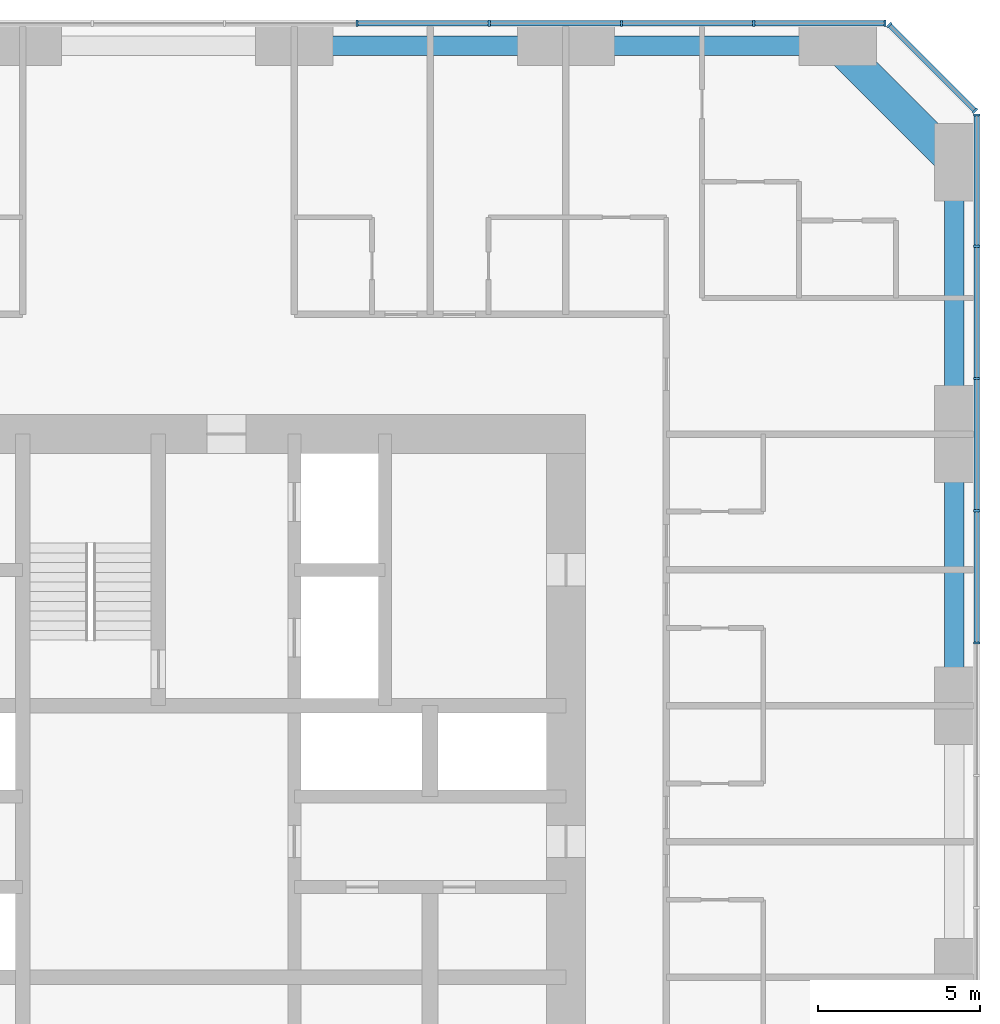
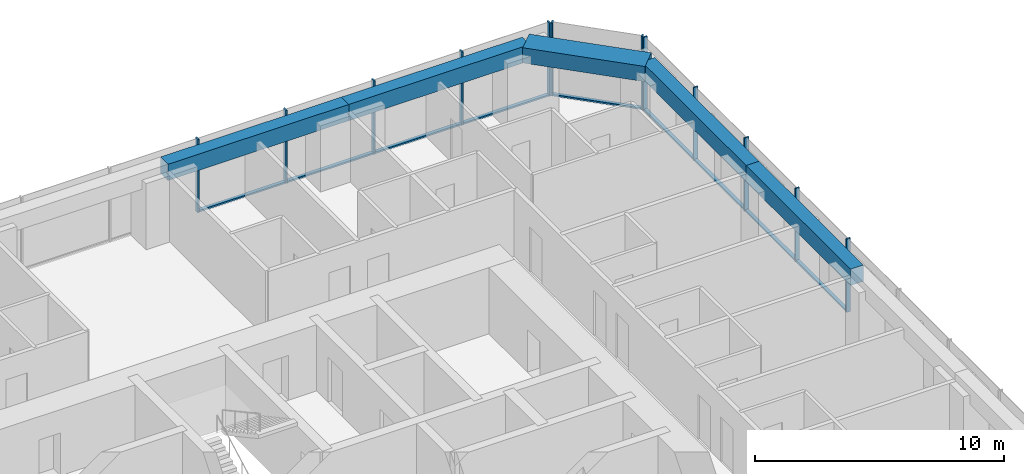
# One storey, part 4 of 14: 21 members, 5 beams, 3 elements without a shape of their own.
"""IFC4 building model written with IfcOpenShell, lengths in metres."""

from ifc_helpers import new_model, si_unit, direction, frame, origin, origin_2d, place, context, subcontext, project, spatial, rectangle, extrude, material, material_profile, profile_set, type_object, element, aggregate, save


model = new_model("IFC4")

# Units and contexts
model_context = context("Model", 3, precision=1e-05, world=origin(), true_north=direction((0.0, 1.0)))
body_context = subcontext(model_context, "Body", "Model", "MODEL_VIEW")
ifc_project = project(units=[si_unit("LENGTHUNIT", "METRE"), si_unit("AREAUNIT", "SQUARE_METRE"), si_unit("VOLUMEUNIT", "CUBIC_METRE"), si_unit("PLANEANGLEUNIT", "RADIAN"), si_unit("MASSUNIT", "GRAM", prefix="KILO")], contexts=[model_context])

# Site, building, storey
site_placement = place(None, origin())
site = spatial("IfcSite", under=ifc_project, at=site_placement, CompositionType="ELEMENT")
building_placement = place(site_placement, origin())
building = spatial("IfcBuilding", under=site, at=building_placement, Name="Dunama Terrace Hotel", CompositionType="ELEMENT")
storey_placement = place(building_placement, frame((0.0, 0.0, 159.0)))
storey = spatial("IfcBuildingStorey", under=building, at=storey_placement, Name="L40", CompositionType="ELEMENT", Elevation=159.0)

# Curtain wall, members
ifc_material_1 = material(Name="Aluminium curtain wall system", Category="aluminium")
curtain_wall_type = type_object("IfcCurtainWallType", Name="Unitised fritted glass wall CW-C", PredefinedType="NOTDEFINED", material=ifc_material_1)
curtain_wall_1_placement = place(storey_placement, origin())
curtain_wall_1 = element("IfcCurtainWall", 1, at=curtain_wall_1_placement, inside=storey, type_object=curtain_wall_type, Name="Unitised fritted glass wall CW-C L40", PredefinedType="NOTDEFINED")
ifc_material_2 = material(Name="Aluminium mullion", Category="aluminium")
ifc_material_profile_1 = material_profile(ifc_material_2, rectangle(XDim=0.070068359375, YDim=0.199951171875, at=origin_2d()), Name="CWC MULLION 70X200")
ifc_profile_set_1 = profile_set([ifc_material_profile_1], Name="Aluminium mullion")
member_type_1 = type_object("IfcMemberType", Name="CWC mullion 70x200", PredefinedType="MULLION", material=ifc_profile_set_1)
member_1_placement = place(storey_placement, frame((54.699951171875, 35.535888671875, 0.0), z_axis=(0.0, 0.0, 1.0), x_axis=(0.0, 1.0, 0.0)))
member_1 = element("IfcMember", 2, at=member_1_placement, type_object=member_type_1, Name="CWC mullion", PredefinedType="MULLION", context=body_context, shape_type="SweptSolid", body=[
    extrude(rectangle(XDim=0.070068359375, YDim=0.199951171875, at=origin_2d()), origin(), (0.0, 0.0, 1.0), 3.60009765625),
])
member_2_placement = place(storey_placement, frame((54.699951171875, 39.626953125, 0.0), z_axis=(0.0, 0.0, 1.0), x_axis=(0.0, 1.0, 0.0)))
member_2 = element("IfcMember", 3, at=member_2_placement, type_object=member_type_1, Name="CWC mullion", PredefinedType="MULLION", context=body_context, shape_type="SweptSolid", body=[
    extrude(rectangle(XDim=0.070068359375, YDim=0.199951171875, at=origin_2d()), origin(), (0.0, 0.0, 1.0), 3.60009765625),
])
member_3_placement = place(storey_placement, frame((54.699951171875, 43.718017578125, 0.0), z_axis=(0.0, 0.0, 1.0), x_axis=(0.0, 1.0, 0.0)))
member_3 = element("IfcMember", 4, at=member_3_placement, type_object=member_type_1, Name="CWC mullion", PredefinedType="MULLION", context=body_context, shape_type="SweptSolid", body=[
    extrude(rectangle(XDim=0.070068359375, YDim=0.199951171875, at=origin_2d()), origin(), (0.0, 0.0, 1.0), 3.60009765625),
])
member_4_placement = place(storey_placement, frame((54.699951171875, 47.80908203125, 0.0), z_axis=(0.0, 0.0, 1.0), x_axis=(0.0, 1.0, 0.0)))
member_4 = element("IfcMember", 5, at=member_4_placement, type_object=member_type_1, Name="CWC mullion", PredefinedType="MULLION", context=body_context, shape_type="SweptSolid", body=[
    extrude(rectangle(XDim=0.070068359375, YDim=0.199951171875, at=origin_2d()), origin(), (0.0, 0.0, 1.0), 3.60009765625),
])
member_5_placement = place(storey_placement, frame((54.699951171875, 51.864990234375, 0.0), z_axis=(0.0, 0.0, 1.0), x_axis=(0.0, 1.0, 0.0)))
member_5 = element("IfcMember", 6, at=member_5_placement, type_object=member_type_1, Name="CWC mullion", PredefinedType="MULLION", context=body_context, shape_type="SweptSolid", body=[
    extrude(rectangle(XDim=0.070068359375, YDim=0.199951171875, at=origin_2d()), origin(), (0.0, 0.0, 1.0), 3.60009765625),
])

curtain_wall_2_placement = place(storey_placement, origin())
curtain_wall_2 = element("IfcCurtainWall", 7, at=curtain_wall_2_placement, inside=storey, type_object=curtain_wall_type, Name="Unitised fritted glass wall CW-C L40", PredefinedType="NOTDEFINED")
member_6_placement = place(storey_placement, frame((54.64599609375, 51.9951171875, 0.0), z_axis=(0.0, 0.0, 1.0), x_axis=(-0.707106781187, 0.707106781187, 0.0)))
member_6 = element("IfcMember", 8, at=member_6_placement, type_object=member_type_1, Name="CWC mullion", PredefinedType="MULLION", context=body_context, shape_type="SweptSolid", body=[
    extrude(rectangle(XDim=0.070068359375, YDim=0.199951171875, at=origin_2d()), origin(), (0.0, 0.0, 1.0), 3.60009765625),
])
member_7_placement = place(storey_placement, frame((51.9951171875, 54.64599609375, 0.0), z_axis=(0.0, 0.0, 1.0), x_axis=(-0.707106781187, 0.707106781187, 0.0)))
member_7 = element("IfcMember", 9, at=member_7_placement, type_object=member_type_1, Name="CWC mullion", PredefinedType="MULLION", context=body_context, shape_type="SweptSolid", body=[
    extrude(rectangle(XDim=0.070068359375, YDim=0.199951171875, at=origin_2d()), origin(), (0.0, 0.0, 1.0), 3.60009765625),
])

curtain_wall_3_placement = place(storey_placement, origin())
curtain_wall_3 = element("IfcCurtainWall", 10, at=curtain_wall_3_placement, inside=storey, type_object=curtain_wall_type, Name="Unitised fritted glass wall CW-C L40", PredefinedType="NOTDEFINED")
member_8_placement = place(storey_placement, frame((51.864990234375, 54.699951171875, 0.0), z_axis=(0.0, 0.0, 1.0), x_axis=(-1.0, 0.0, 0.0)))
member_8 = element("IfcMember", 11, at=member_8_placement, type_object=member_type_1, Name="CWC mullion", PredefinedType="MULLION", context=body_context, shape_type="SweptSolid", body=[
    extrude(rectangle(XDim=0.070068359375, YDim=0.199951171875, at=origin_2d()), origin(), (0.0, 0.0, 1.0), 3.60009765625),
])
member_9_placement = place(storey_placement, frame((47.80908203125, 54.699951171875, 0.0), z_axis=(0.0, 0.0, 1.0), x_axis=(-1.0, 0.0, 0.0)))
member_9 = element("IfcMember", 12, at=member_9_placement, type_object=member_type_1, Name="CWC mullion", PredefinedType="MULLION", context=body_context, shape_type="SweptSolid", body=[
    extrude(rectangle(XDim=0.070068359375, YDim=0.199951171875, at=origin_2d()), origin(), (0.0, 0.0, 1.0), 3.60009765625),
])
member_10_placement = place(storey_placement, frame((43.718017578125, 54.699951171875, 0.0), z_axis=(0.0, 0.0, 1.0), x_axis=(-1.0, 0.0, 0.0)))
member_10 = element("IfcMember", 13, at=member_10_placement, type_object=member_type_1, Name="CWC mullion", PredefinedType="MULLION", context=body_context, shape_type="SweptSolid", body=[
    extrude(rectangle(XDim=0.070068359375, YDim=0.199951171875, at=origin_2d()), origin(), (0.0, 0.0, 1.0), 3.60009765625),
])
member_11_placement = place(storey_placement, frame((39.626953125, 54.699951171875, 0.0), z_axis=(0.0, 0.0, 1.0), x_axis=(-1.0, 0.0, 0.0)))
member_11 = element("IfcMember", 14, at=member_11_placement, type_object=member_type_1, Name="CWC mullion", PredefinedType="MULLION", context=body_context, shape_type="SweptSolid", body=[
    extrude(rectangle(XDim=0.070068359375, YDim=0.199951171875, at=origin_2d()), origin(), (0.0, 0.0, 1.0), 3.60009765625),
])
member_12_placement = place(storey_placement, frame((35.535888671875, 54.699951171875, 0.0), z_axis=(0.0, 0.0, 1.0), x_axis=(-1.0, 0.0, 0.0)))
member_12 = element("IfcMember", 15, at=member_12_placement, type_object=member_type_1, Name="CWC mullion", PredefinedType="MULLION", context=body_context, shape_type="SweptSolid", body=[
    extrude(rectangle(XDim=0.070068359375, YDim=0.199951171875, at=origin_2d()), origin(), (0.0, 0.0, 1.0), 3.60009765625),
])

# Member
ifc_material_3 = material(Name="Aluminium transom", Category="aluminium")
ifc_material_profile_2 = material_profile(ifc_material_3, rectangle(XDim=0.159912109375, YDim=0.080078125, at=origin_2d()), Name="CWC TRANSOM 160X80")
ifc_profile_set_2 = profile_set([ifc_material_profile_2], Name="Aluminium transom")
member_type_2 = type_object("IfcMemberType", Name="CWC transom 160x80", PredefinedType="USERDEFINED", material=ifc_profile_set_2)
member_13_placement = place(storey_placement, frame((54.699951171875, 35.571044921875, 0.0400390625), z_axis=(0.0, 1.0, 0.0), x_axis=(-1.0, 0.0, 0.0)))
member_13 = element("IfcMember", 16, at=member_13_placement, type_object=member_type_2, Name="CWC transom", ObjectType="TRANSOM", PredefinedType="USERDEFINED", context=body_context, shape_type="SweptSolid", body=[
    extrude(rectangle(XDim=0.159912109375, YDim=0.080078125, at=origin_2d()), origin(), (0.0, 0.0, 1.0), 4.02099609375),
])

member_14_placement = place(storey_placement, frame((54.699951171875, 39.662109375, 0.0400390625), z_axis=(0.0, 1.0, 0.0), x_axis=(-1.0, 0.0, 0.0)))
member_14 = element("IfcMember", 17, at=member_14_placement, type_object=member_type_2, Name="CWC transom", ObjectType="TRANSOM", PredefinedType="USERDEFINED", context=body_context, shape_type="SweptSolid", body=[
    extrude(rectangle(XDim=0.159912109375, YDim=0.080078125, at=origin_2d()), origin(), (0.0, 0.0, 1.0), 4.02099609375),
])

member_15_placement = place(storey_placement, frame((54.699951171875, 43.7529296875, 0.0400390625), z_axis=(0.0, 1.0, 0.0), x_axis=(-1.0, 0.0, 0.0)))
member_15 = element("IfcMember", 18, at=member_15_placement, type_object=member_type_2, Name="CWC transom", ObjectType="TRANSOM", PredefinedType="USERDEFINED", context=body_context, shape_type="SweptSolid", body=[
    extrude(rectangle(XDim=0.159912109375, YDim=0.080078125, at=origin_2d()), origin(), (0.0, 0.0, 1.0), 4.02099609375),
])

member_16_placement = place(storey_placement, frame((54.699951171875, 47.843994140625, 0.0400390625), z_axis=(0.0, 1.0, 0.0), x_axis=(-1.0, 0.0, 0.0)))
member_16 = element("IfcMember", 19, at=member_16_placement, type_object=member_type_2, Name="CWC transom", ObjectType="TRANSOM", PredefinedType="USERDEFINED", context=body_context, shape_type="SweptSolid", body=[
    extrude(rectangle(XDim=0.159912109375, YDim=0.080078125, at=origin_2d()), origin(), (0.0, 0.0, 1.0), 3.986083984375),
])

aggregate(curtain_wall_1, [member_1, member_2, member_3, member_4, member_5, member_13, member_14, member_15, member_16])

member_17_placement = place(storey_placement, frame((54.62109375, 52.02001953125, 0.0400390625), z_axis=(-0.707106781187, 0.707106781187, 0.0), x_axis=(-0.707106781187, -0.707106781187, 0.0)))
member_17 = element("IfcMember", 20, at=member_17_placement, type_object=member_type_2, Name="CWC transom", ObjectType="TRANSOM", PredefinedType="USERDEFINED", context=body_context, shape_type="SweptSolid", body=[
    extrude(rectangle(XDim=0.159912109375, YDim=0.080078125, at=origin_2d()), origin(), (0.0, 0.0, 1.0), 3.678466796875),
])

aggregate(curtain_wall_2, [member_6, member_7, member_17])

member_18_placement = place(storey_placement, frame((51.830078125, 54.699951171875, 0.0400390625), z_axis=(-1.0, 0.0, 0.0), x_axis=(0.0, -1.0, 0.0)))
member_18 = element("IfcMember", 21, at=member_18_placement, type_object=member_type_2, Name="CWC transom", ObjectType="TRANSOM", PredefinedType="USERDEFINED", context=body_context, shape_type="SweptSolid", body=[
    extrude(rectangle(XDim=0.159912109375, YDim=0.080078125, at=origin_2d()), origin(), (0.0, 0.0, 1.0), 3.986083984375),
])

member_19_placement = place(storey_placement, frame((47.77392578125, 54.699951171875, 0.0400390625), z_axis=(-1.0, 0.0, 0.0), x_axis=(0.0, -1.0, 0.0)))
member_19 = element("IfcMember", 22, at=member_19_placement, type_object=member_type_2, Name="CWC transom", ObjectType="TRANSOM", PredefinedType="USERDEFINED", context=body_context, shape_type="SweptSolid", body=[
    extrude(rectangle(XDim=0.159912109375, YDim=0.080078125, at=origin_2d()), origin(), (0.0, 0.0, 1.0), 4.02099609375),
])

member_20_placement = place(storey_placement, frame((43.68310546875, 54.699951171875, 0.0400390625), z_axis=(-1.0, 0.0, 0.0), x_axis=(0.0, -1.0, 0.0)))
member_20 = element("IfcMember", 23, at=member_20_placement, type_object=member_type_2, Name="CWC transom", ObjectType="TRANSOM", PredefinedType="USERDEFINED", context=body_context, shape_type="SweptSolid", body=[
    extrude(rectangle(XDim=0.159912109375, YDim=0.080078125, at=origin_2d()), origin(), (0.0, 0.0, 1.0), 4.02099609375),
])

member_21_placement = place(storey_placement, frame((39.592041015625, 54.699951171875, 0.0400390625), z_axis=(-1.0, 0.0, 0.0), x_axis=(0.0, -1.0, 0.0)))
member_21 = element("IfcMember", 24, at=member_21_placement, type_object=member_type_2, Name="CWC transom", ObjectType="TRANSOM", PredefinedType="USERDEFINED", context=body_context, shape_type="SweptSolid", body=[
    extrude(rectangle(XDim=0.159912109375, YDim=0.080078125, at=origin_2d()), origin(), (0.0, 0.0, 1.0), 4.02099609375),
])

aggregate(curtain_wall_3, [member_8, member_9, member_10, member_11, member_12, member_18, member_19, member_20, member_21])

# Beams
ifc_material_4 = material(Name="Concrete C50/60", Category="concrete")
ifc_material_profile_3 = material_profile(ifc_material_4, rectangle(XDim=1.0, YDim=0.75, at=origin_2d()), Name="RC 1000x750")
ifc_profile_set_3 = profile_set([ifc_material_profile_3], Name="Concrete C50/60")
beam_type_1 = type_object("IfcBeamType", Name="Edge beam RC 1000x750", PredefinedType="SPANDREL", material=ifc_profile_set_3)
beam_placement = place(storey_placement, frame((50.39990234375, 54.0, 3.22509765625), z_axis=(0.707106781187, -0.707106781187, 0.0), x_axis=(0.707106781187, 0.707106781187, 0.0)))
element("IfcBeam", 25, at=beam_placement, inside=storey, type_object=beam_type_1, Name="Corner edge beam under L41", PredefinedType="SPANDREL", context=body_context, shape_type="SweptSolid", body=[
    extrude(rectangle(XDim=1.0, YDim=0.75, at=origin_2d()), origin(), (0.0, 0.0, 1.0), 5.09130859375),
])
ifc_material_5 = material(Name="Concrete C40/50", Category="concrete")
ifc_material_profile_4 = material_profile(ifc_material_5, rectangle(XDim=0.60009765625, YDim=0.800048828125, at=origin_2d()), Name="RC 600x800")
ifc_profile_set_4 = profile_set([ifc_material_profile_4], Name="Concrete C40/50")
beam_type_2 = type_object("IfcBeamType", Name="Edge beam RC 600x800", PredefinedType="SPANDREL", material=ifc_profile_set_4)
for number, where, z_axis, x_axis, name in (
    (26, (54.0, 33.60009765625, 3.199951171875), (0.0, 1.0, 0.0), (-1.0, 0.0, 0.0), "Edge beam under L41"),
    (27, (54.0, 42.0, 3.199951171875), (0.0, 1.0, 0.0), (-1.0, 0.0, 0.0), "Edge beam under L41"),
    (28, (33.60009765625, 54.0, 3.199951171875), (1.0, 0.0, 0.0), (0.0, 1.0, 0.0), "Edge beam under L41"),
    (29, (42.0, 54.0, 3.199951171875), (1.0, 0.0, 0.0), (0.0, 1.0, 0.0), "Edge beam under L41"),
):
    element("IfcBeam", number, at=place(storey_placement, frame(where, z_axis=z_axis, x_axis=x_axis)), inside=storey, type_object=beam_type_2, Name=name, PredefinedType="SPANDREL", context=body_context, shape_type="SweptSolid", body=[
        extrude(rectangle(XDim=0.60009765625, YDim=0.800048828125, at=origin_2d()), origin(), (0.0, 0.0, 1.0), 8.39990234375),
    ])

save(model, "model.ifc")
